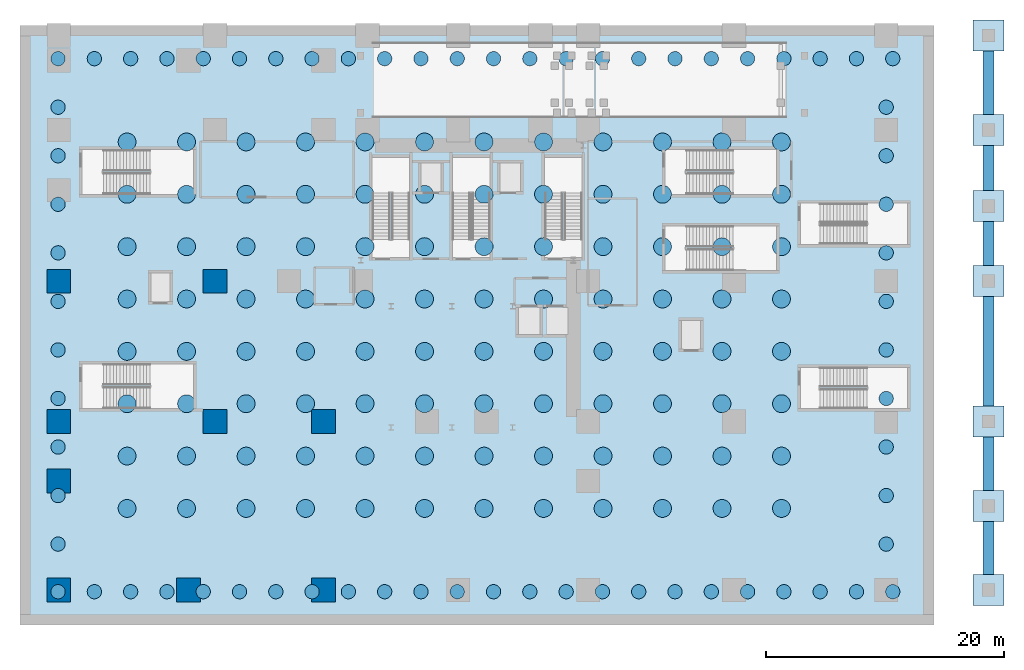
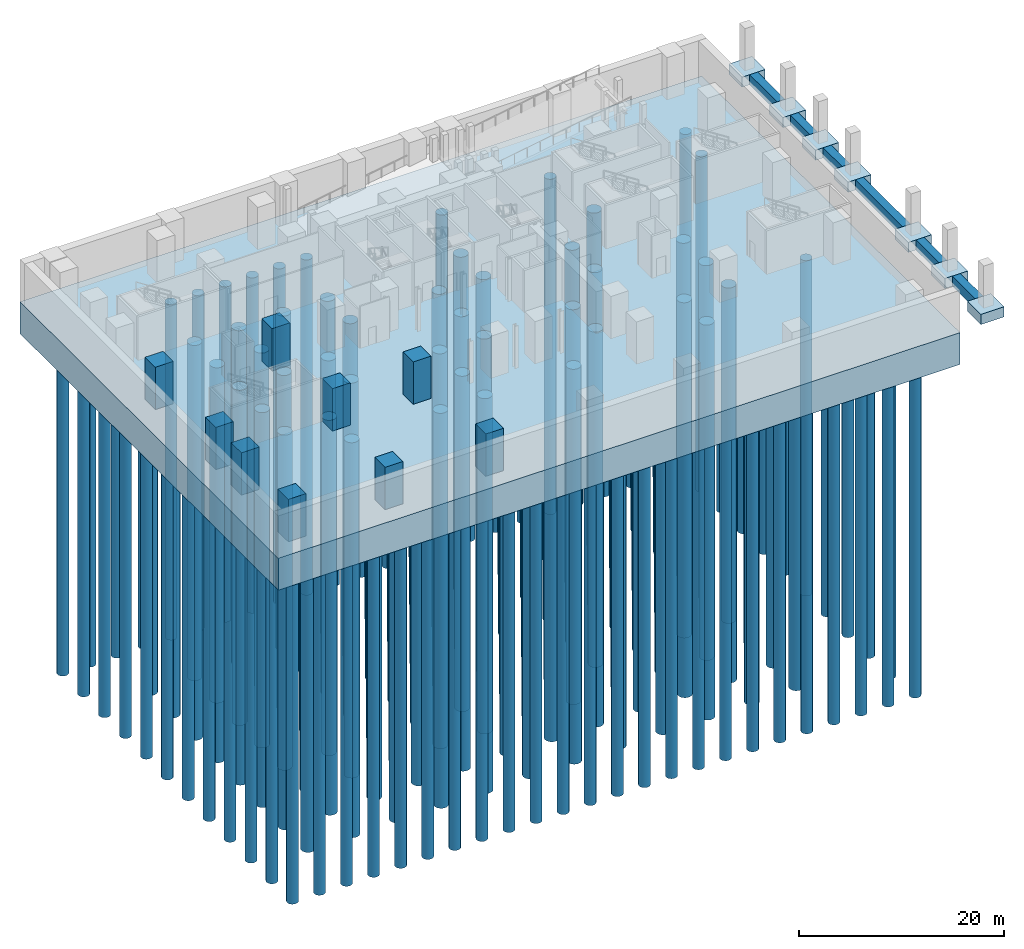
# One storey, part 1 of 14: 164 piles, 14 footings, 9 columns.
"""IFC4 building model written with IfcOpenShell, lengths in metres."""

from ifc_helpers import new_model, si_unit, direction, frame, origin, origin_2d, place, context, subcontext, project, spatial, polyline, rectangle, circle, outline, extrude, source, transform, mapped, material, material_profile, profile_set, type_object, element, save


model = new_model("IFC4")

# Units and contexts
model_context = context("Model", 3, precision=1e-05, world=origin(), true_north=direction((0.0, 1.0)))
body_context = subcontext(model_context, "Body", "Model", "MODEL_VIEW")
ifc_project = project(units=[si_unit("LENGTHUNIT", "METRE"), si_unit("AREAUNIT", "SQUARE_METRE"), si_unit("VOLUMEUNIT", "CUBIC_METRE"), si_unit("PLANEANGLEUNIT", "RADIAN"), si_unit("MASSUNIT", "GRAM", prefix="KILO")], contexts=[model_context])

# Site, building, storey
site_placement = place(None, origin())
site = spatial("IfcSite", under=ifc_project, at=site_placement, CompositionType="ELEMENT")
building_placement = place(site_placement, origin())
building = spatial("IfcBuilding", under=site, at=building_placement, Name="Vardaveli Station Tower", CompositionType="ELEMENT")
storey_placement = place(building_placement, frame((0.0, 0.0, -11.39990234375)))
storey = spatial("IfcBuildingStorey", under=building, at=storey_placement, Name="B02", CompositionType="ELEMENT", Elevation=-11.39990234375)

# Footings
ifc_material_1 = material(Name="Concrete C50/60", Category="concrete")
footing_type_1 = type_object("IfcFootingType", Name="FTG-PAD-2600", PredefinedType="PAD_FOOTING", material=ifc_material_1)
footing_1_placement = place(storey_placement, frame((0.0, 0.0, -1.2001953125)))
element("IfcFooting", 1, at=footing_1_placement, inside=storey, type_object=footing_type_1, Name="FTG-PAD-01", PredefinedType="PAD_FOOTING", context=body_context, shape_type="SweptSolid", body=[
    extrude(outline(polyline([(80.10009765625, 1.64990234375), (82.699951171875, 1.64990234375), (82.699951171875, 4.25), (80.10009765625, 4.25), (80.10009765625, 1.64990234375)])), origin(), (0.0, 0.0, 1.0), 1.2001953125),
])
footing_2_placement = place(storey_placement, frame((0.0, 0.0, -1.2001953125)))
element("IfcFooting", 2, at=footing_2_placement, inside=storey, type_object=footing_type_1, Name="FTG-PAD-02", PredefinedType="PAD_FOOTING", context=body_context, shape_type="SweptSolid", body=[
    extrude(outline(polyline([(80.10009765625, 8.699951171875), (82.699951171875, 8.699951171875), (82.699951171875, 11.300048828125), (80.10009765625, 11.300048828125), (80.10009765625, 8.699951171875)])), origin(), (0.0, 0.0, 1.0), 1.2001953125),
])
footing_3_placement = place(storey_placement, frame((0.0, 0.0, -1.2001953125)))
element("IfcFooting", 3, at=footing_3_placement, inside=storey, type_object=footing_type_1, Name="FTG-PAD-03", PredefinedType="PAD_FOOTING", context=body_context, shape_type="SweptSolid", body=[
    extrude(outline(polyline([(80.10009765625, 15.800048828125), (82.699951171875, 15.800048828125), (82.699951171875, 18.39990234375), (80.10009765625, 18.39990234375), (80.10009765625, 15.800048828125)])), origin(), (0.0, 0.0, 1.0), 1.2001953125),
])
footing_4_placement = place(storey_placement, frame((0.0, 0.0, -1.2001953125)))
element("IfcFooting", 4, at=footing_4_placement, inside=storey, type_object=footing_type_1, Name="FTG-PAD-04", PredefinedType="PAD_FOOTING", context=body_context, shape_type="SweptSolid", body=[
    extrude(outline(polyline([(80.10009765625, 27.60009765625), (82.699951171875, 27.60009765625), (82.699951171875, 30.199951171875), (80.10009765625, 30.199951171875), (80.10009765625, 27.60009765625)])), origin(), (0.0, 0.0, 1.0), 1.2001953125),
])
footing_5_placement = place(storey_placement, frame((0.0, 0.0, -1.2001953125)))
element("IfcFooting", 5, at=footing_5_placement, inside=storey, type_object=footing_type_1, Name="FTG-PAD-05", PredefinedType="PAD_FOOTING", context=body_context, shape_type="SweptSolid", body=[
    extrude(outline(polyline([(80.10009765625, 33.89990234375), (82.699951171875, 33.89990234375), (82.699951171875, 36.5), (80.10009765625, 36.5), (80.10009765625, 33.89990234375)])), origin(), (0.0, 0.0, 1.0), 1.2001953125),
])
footing_6_placement = place(storey_placement, frame((0.0, 0.0, -1.2001953125)))
element("IfcFooting", 6, at=footing_6_placement, inside=storey, type_object=footing_type_1, Name="FTG-PAD-06", PredefinedType="PAD_FOOTING", context=body_context, shape_type="SweptSolid", body=[
    extrude(outline(polyline([(80.10009765625, 40.300048828125), (82.699951171875, 40.300048828125), (82.699951171875, 42.89990234375), (80.10009765625, 42.89990234375), (80.10009765625, 40.300048828125)])), origin(), (0.0, 0.0, 1.0), 1.2001953125),
])
footing_7_placement = place(storey_placement, frame((0.0, 0.0, -1.2001953125)))
element("IfcFooting", 7, at=footing_7_placement, inside=storey, type_object=footing_type_1, Name="FTG-PAD-07", PredefinedType="PAD_FOOTING", context=body_context, shape_type="SweptSolid", body=[
    extrude(outline(polyline([(80.10009765625, 48.25), (82.699951171875, 48.25), (82.699951171875, 50.85009765625), (80.10009765625, 50.85009765625), (80.10009765625, 48.25)])), origin(), (0.0, 0.0, 1.0), 1.2001953125),
])
footing_type_2 = type_object("IfcFootingType", Name="FTG-RAFT-3800", PredefinedType="PILE_CAP", material=ifc_material_1)
footing_8_placement = place(storey_placement, frame((0.0, 0.0, -3.800048828125)))
element("IfcFooting", 8, at=footing_8_placement, inside=storey, type_object=footing_type_2, Name="FTG-RAFT-01", PredefinedType="PILE_CAP", context=body_context, shape_type="SweptSolid", body=[
    extrude(outline(polyline([(0.0, 0.0), (76.800048828125, 0.0), (76.800048828125, 50.39990234375), (0.0, 50.39990234375), (0.0, 0.0)])), origin(), (0.0, 0.0, 1.0), 3.800048828125),
])
footing_type_3 = type_object("IfcFootingType", Name="FTG-STRIP-900x1200", PredefinedType="STRIP_FOOTING", material=ifc_material_1)
footing_9_placement = place(storey_placement, frame((0.0, 0.0, -1.2001953125)))
element("IfcFooting", 9, at=footing_9_placement, inside=storey, type_object=footing_type_3, Name="FTG-STR-01", PredefinedType="STRIP_FOOTING", context=body_context, shape_type="SweptSolid", body=[
    extrude(outline(polyline([(80.949951171875, 4.25), (81.85009765625, 4.25), (81.85009765625, 8.699951171875), (80.949951171875, 8.699951171875), (80.949951171875, 4.25)])), origin(), (0.0, 0.0, 1.0), 1.2001953125),
])
footing_10_placement = place(storey_placement, frame((0.0, 0.0, -1.2001953125)))
element("IfcFooting", 10, at=footing_10_placement, inside=storey, type_object=footing_type_3, Name="FTG-STR-02", PredefinedType="STRIP_FOOTING", context=body_context, shape_type="SweptSolid", body=[
    extrude(outline(polyline([(80.949951171875, 11.300048828125), (81.85009765625, 11.300048828125), (81.85009765625, 15.800048828125), (80.949951171875, 15.800048828125), (80.949951171875, 11.300048828125)])), origin(), (0.0, 0.0, 1.0), 1.2001953125),
])
footing_11_placement = place(storey_placement, frame((0.0, 0.0, -1.2001953125)))
element("IfcFooting", 11, at=footing_11_placement, inside=storey, type_object=footing_type_3, Name="FTG-STR-03", PredefinedType="STRIP_FOOTING", context=body_context, shape_type="SweptSolid", body=[
    extrude(outline(polyline([(80.949951171875, 18.39990234375), (81.85009765625, 18.39990234375), (81.85009765625, 27.60009765625), (80.949951171875, 27.60009765625), (80.949951171875, 18.39990234375)])), origin(), (0.0, 0.0, 1.0), 1.2001953125),
])
footing_12_placement = place(storey_placement, frame((0.0, 0.0, -1.2001953125)))
element("IfcFooting", 12, at=footing_12_placement, inside=storey, type_object=footing_type_3, Name="FTG-STR-04", PredefinedType="STRIP_FOOTING", context=body_context, shape_type="SweptSolid", body=[
    extrude(outline(polyline([(80.949951171875, 30.199951171875), (81.85009765625, 30.199951171875), (81.85009765625, 33.89990234375), (80.949951171875, 33.89990234375), (80.949951171875, 30.199951171875)])), origin(), (0.0, 0.0, 1.0), 1.2001953125),
])
footing_13_placement = place(storey_placement, frame((0.0, 0.0, -1.2001953125)))
element("IfcFooting", 13, at=footing_13_placement, inside=storey, type_object=footing_type_3, Name="FTG-STR-05", PredefinedType="STRIP_FOOTING", context=body_context, shape_type="SweptSolid", body=[
    extrude(outline(polyline([(80.949951171875, 36.5), (81.85009765625, 36.5), (81.85009765625, 40.300048828125), (80.949951171875, 40.300048828125), (80.949951171875, 36.5)])), origin(), (0.0, 0.0, 1.0), 1.2001953125),
])
footing_14_placement = place(storey_placement, frame((0.0, 0.0, -1.2001953125)))
element("IfcFooting", 14, at=footing_14_placement, inside=storey, type_object=footing_type_3, Name="FTG-STR-06", PredefinedType="STRIP_FOOTING", context=body_context, shape_type="SweptSolid", body=[
    extrude(outline(polyline([(80.949951171875, 42.89990234375), (81.85009765625, 42.89990234375), (81.85009765625, 48.25), (80.949951171875, 48.25), (80.949951171875, 42.89990234375)])), origin(), (0.0, 0.0, 1.0), 1.2001953125),
])

# Piles
ifc_material_2 = material(Name="Concrete C40/50", Category="concrete")
ifc_material_profile_1 = material_profile(ifc_material_2, circle(Radius=0.75, at=origin_2d()), Name="PILE D1500")
ifc_profile_set_1 = profile_set([ifc_material_profile_1], Name="Concrete C40/50")
pile_type_1 = type_object("IfcPileType", Name="PILE-BORED-1500", PredefinedType="BORED", material=ifc_profile_set_1)
shared_shape_1 = source(origin(), body_context, "Body", "SweptSolid", [
    extrude(circle(Radius=0.75, at=origin_2d()), origin(), (0.0, 0.0, 1.0), 39.949951171875),
])
for number, where, z_axis, x_axis, name in (
    (15, (9.0, 9.800048828125, -3.650146484375), (0.0, 0.0, -1.0), (1.0, 0.0, 0.0), "PILE-001"),
    (16, (9.0, 14.199951171875, -3.650146484375), (0.0, 0.0, -1.0), (1.0, 0.0, 0.0), "PILE-002"),
    (17, (9.0, 18.60009765625, -3.650146484375), (0.0, 0.0, -1.0), (1.0, 0.0, 0.0), "PILE-003"),
    (18, (9.0, 23.0, -3.650146484375), (0.0, 0.0, -1.0), (1.0, 0.0, 0.0), "PILE-004"),
    (19, (9.0, 27.39990234375, -3.650146484375), (0.0, 0.0, -1.0), (1.0, 0.0, 0.0), "PILE-005"),
    (20, (9.0, 31.800048828125, -3.650146484375), (0.0, 0.0, -1.0), (1.0, 0.0, 0.0), "PILE-006"),
    (21, (9.0, 36.199951171875, -3.650146484375), (0.0, 0.0, -1.0), (1.0, 0.0, 0.0), "PILE-007"),
    (22, (9.0, 40.60009765625, -3.650146484375), (0.0, 0.0, -1.0), (1.0, 0.0, 0.0), "PILE-008"),
    (23, (14.0, 9.800048828125, -3.650146484375), (0.0, 0.0, -1.0), (1.0, 0.0, 0.0), "PILE-009"),
    (24, (14.0, 14.199951171875, -3.650146484375), (0.0, 0.0, -1.0), (1.0, 0.0, 0.0), "PILE-010"),
    (25, (14.0, 18.60009765625, -3.650146484375), (0.0, 0.0, -1.0), (1.0, 0.0, 0.0), "PILE-011"),
    (26, (14.0, 23.0, -3.650146484375), (0.0, 0.0, -1.0), (1.0, 0.0, 0.0), "PILE-012"),
    (27, (14.0, 27.39990234375, -3.650146484375), (0.0, 0.0, -1.0), (1.0, 0.0, 0.0), "PILE-013"),
    (28, (14.0, 31.800048828125, -3.650146484375), (0.0, 0.0, -1.0), (1.0, 0.0, 0.0), "PILE-014"),
    (29, (14.0, 36.199951171875, -3.650146484375), (0.0, 0.0, -1.0), (1.0, 0.0, 0.0), "PILE-015"),
    (30, (14.0, 40.60009765625, -3.650146484375), (0.0, 0.0, -1.0), (1.0, 0.0, 0.0), "PILE-016"),
    (31, (19.0, 9.800048828125, -3.650146484375), (0.0, 0.0, -1.0), (1.0, 0.0, 0.0), "PILE-017"),
    (32, (19.0, 14.199951171875, -3.650146484375), (0.0, 0.0, -1.0), (1.0, 0.0, 0.0), "PILE-018"),
    (33, (19.0, 18.60009765625, -3.650146484375), (0.0, 0.0, -1.0), (1.0, 0.0, 0.0), "PILE-019"),
    (34, (19.0, 23.0, -3.650146484375), (0.0, 0.0, -1.0), (1.0, 0.0, 0.0), "PILE-020"),
    (35, (19.0, 27.39990234375, -3.650146484375), (0.0, 0.0, -1.0), (1.0, 0.0, 0.0), "PILE-021"),
    (36, (19.0, 31.800048828125, -3.650146484375), (0.0, 0.0, -1.0), (1.0, 0.0, 0.0), "PILE-022"),
    (37, (19.0, 36.199951171875, -3.650146484375), (0.0, 0.0, -1.0), (1.0, 0.0, 0.0), "PILE-023"),
    (38, (19.0, 40.60009765625, -3.650146484375), (0.0, 0.0, -1.0), (1.0, 0.0, 0.0), "PILE-024"),
    (39, (24.0, 9.800048828125, -3.650146484375), (0.0, 0.0, -1.0), (1.0, 0.0, 0.0), "PILE-025"),
    (40, (24.0, 14.199951171875, -3.650146484375), (0.0, 0.0, -1.0), (1.0, 0.0, 0.0), "PILE-026"),
    (41, (24.0, 18.60009765625, -3.650146484375), (0.0, 0.0, -1.0), (1.0, 0.0, 0.0), "PILE-027"),
    (42, (24.0, 23.0, -3.650146484375), (0.0, 0.0, -1.0), (1.0, 0.0, 0.0), "PILE-028"),
    (43, (24.0, 27.39990234375, -3.650146484375), (0.0, 0.0, -1.0), (1.0, 0.0, 0.0), "PILE-029"),
    (44, (24.0, 31.800048828125, -3.650146484375), (0.0, 0.0, -1.0), (1.0, 0.0, 0.0), "PILE-030"),
    (45, (24.0, 36.199951171875, -3.650146484375), (0.0, 0.0, -1.0), (1.0, 0.0, 0.0), "PILE-031"),
    (46, (24.0, 40.60009765625, -3.650146484375), (0.0, 0.0, -1.0), (1.0, 0.0, 0.0), "PILE-032"),
    (47, (29.0, 9.800048828125, -3.650146484375), (0.0, 0.0, -1.0), (1.0, 0.0, 0.0), "PILE-033"),
    (48, (29.0, 14.199951171875, -3.650146484375), (0.0, 0.0, -1.0), (1.0, 0.0, 0.0), "PILE-034"),
    (49, (29.0, 18.60009765625, -3.650146484375), (0.0, 0.0, -1.0), (1.0, 0.0, 0.0), "PILE-035"),
    (50, (29.0, 23.0, -3.650146484375), (0.0, 0.0, -1.0), (1.0, 0.0, 0.0), "PILE-036"),
    (51, (29.0, 27.39990234375, -3.650146484375), (0.0, 0.0, -1.0), (1.0, 0.0, 0.0), "PILE-037"),
    (52, (29.0, 31.800048828125, -3.650146484375), (0.0, 0.0, -1.0), (1.0, 0.0, 0.0), "PILE-038"),
    (53, (29.0, 36.199951171875, -3.650146484375), (0.0, 0.0, -1.0), (1.0, 0.0, 0.0), "PILE-039"),
    (54, (29.0, 40.60009765625, -3.650146484375), (0.0, 0.0, -1.0), (1.0, 0.0, 0.0), "PILE-040"),
    (55, (34.0, 9.800048828125, -3.650146484375), (0.0, 0.0, -1.0), (1.0, 0.0, 0.0), "PILE-041"),
    (56, (34.0, 14.199951171875, -3.650146484375), (0.0, 0.0, -1.0), (1.0, 0.0, 0.0), "PILE-042"),
    (57, (34.0, 18.60009765625, -3.650146484375), (0.0, 0.0, -1.0), (1.0, 0.0, 0.0), "PILE-043"),
    (58, (34.0, 23.0, -3.650146484375), (0.0, 0.0, -1.0), (1.0, 0.0, 0.0), "PILE-044"),
    (59, (34.0, 27.39990234375, -3.650146484375), (0.0, 0.0, -1.0), (1.0, 0.0, 0.0), "PILE-045"),
    (60, (34.0, 31.800048828125, -3.650146484375), (0.0, 0.0, -1.0), (1.0, 0.0, 0.0), "PILE-046"),
    (61, (34.0, 36.199951171875, -3.650146484375), (0.0, 0.0, -1.0), (1.0, 0.0, 0.0), "PILE-047"),
    (62, (34.0, 40.60009765625, -3.650146484375), (0.0, 0.0, -1.0), (1.0, 0.0, 0.0), "PILE-048"),
    (63, (39.0, 9.800048828125, -3.650146484375), (0.0, 0.0, -1.0), (1.0, 0.0, 0.0), "PILE-049"),
    (64, (39.0, 14.199951171875, -3.650146484375), (0.0, 0.0, -1.0), (1.0, 0.0, 0.0), "PILE-050"),
    (65, (39.0, 18.60009765625, -3.650146484375), (0.0, 0.0, -1.0), (1.0, 0.0, 0.0), "PILE-051"),
    (66, (39.0, 23.0, -3.650146484375), (0.0, 0.0, -1.0), (1.0, 0.0, 0.0), "PILE-052"),
    (67, (39.0, 27.39990234375, -3.650146484375), (0.0, 0.0, -1.0), (1.0, 0.0, 0.0), "PILE-053"),
    (68, (39.0, 31.800048828125, -3.650146484375), (0.0, 0.0, -1.0), (1.0, 0.0, 0.0), "PILE-054"),
    (69, (39.0, 36.199951171875, -3.650146484375), (0.0, 0.0, -1.0), (1.0, 0.0, 0.0), "PILE-055"),
    (70, (39.0, 40.60009765625, -3.650146484375), (0.0, 0.0, -1.0), (1.0, 0.0, 0.0), "PILE-056"),
    (71, (44.0, 9.800048828125, -3.650146484375), (0.0, 0.0, -1.0), (1.0, 0.0, 0.0), "PILE-057"),
    (72, (44.0, 14.199951171875, -3.650146484375), (0.0, 0.0, -1.0), (1.0, 0.0, 0.0), "PILE-058"),
    (73, (44.0, 18.60009765625, -3.650146484375), (0.0, 0.0, -1.0), (1.0, 0.0, 0.0), "PILE-059"),
    (74, (44.0, 23.0, -3.650146484375), (0.0, 0.0, -1.0), (1.0, 0.0, 0.0), "PILE-060"),
    (75, (44.0, 27.39990234375, -3.650146484375), (0.0, 0.0, -1.0), (1.0, 0.0, 0.0), "PILE-061"),
    (76, (44.0, 31.800048828125, -3.650146484375), (0.0, 0.0, -1.0), (1.0, 0.0, 0.0), "PILE-062"),
    (77, (44.0, 36.199951171875, -3.650146484375), (0.0, 0.0, -1.0), (1.0, 0.0, 0.0), "PILE-063"),
    (78, (44.0, 40.60009765625, -3.650146484375), (0.0, 0.0, -1.0), (1.0, 0.0, 0.0), "PILE-064"),
    (79, (49.0, 9.800048828125, -3.650146484375), (0.0, 0.0, -1.0), (1.0, 0.0, 0.0), "PILE-065"),
    (80, (49.0, 14.199951171875, -3.650146484375), (0.0, 0.0, -1.0), (1.0, 0.0, 0.0), "PILE-066"),
    (81, (49.0, 18.60009765625, -3.650146484375), (0.0, 0.0, -1.0), (1.0, 0.0, 0.0), "PILE-067"),
    (82, (49.0, 23.0, -3.650146484375), (0.0, 0.0, -1.0), (1.0, 0.0, 0.0), "PILE-068"),
    (83, (49.0, 27.39990234375, -3.650146484375), (0.0, 0.0, -1.0), (1.0, 0.0, 0.0), "PILE-069"),
    (84, (49.0, 31.800048828125, -3.650146484375), (0.0, 0.0, -1.0), (1.0, 0.0, 0.0), "PILE-070"),
    (85, (49.0, 36.199951171875, -3.650146484375), (0.0, 0.0, -1.0), (1.0, 0.0, 0.0), "PILE-071"),
    (86, (49.0, 40.60009765625, -3.650146484375), (0.0, 0.0, -1.0), (1.0, 0.0, 0.0), "PILE-072"),
    (87, (54.0, 9.800048828125, -3.650146484375), (0.0, 0.0, -1.0), (1.0, 0.0, 0.0), "PILE-073"),
    (88, (54.0, 14.199951171875, -3.650146484375), (0.0, 0.0, -1.0), (1.0, 0.0, 0.0), "PILE-074"),
    (89, (54.0, 18.60009765625, -3.650146484375), (0.0, 0.0, -1.0), (1.0, 0.0, 0.0), "PILE-075"),
    (90, (54.0, 23.0, -3.650146484375), (0.0, 0.0, -1.0), (1.0, 0.0, 0.0), "PILE-076"),
    (91, (54.0, 27.39990234375, -3.650146484375), (0.0, 0.0, -1.0), (1.0, 0.0, 0.0), "PILE-077"),
    (92, (54.0, 31.800048828125, -3.650146484375), (0.0, 0.0, -1.0), (1.0, 0.0, 0.0), "PILE-078"),
    (93, (54.0, 36.199951171875, -3.650146484375), (0.0, 0.0, -1.0), (1.0, 0.0, 0.0), "PILE-079"),
    (94, (54.0, 40.60009765625, -3.650146484375), (0.0, 0.0, -1.0), (1.0, 0.0, 0.0), "PILE-080"),
    (95, (59.0, 9.800048828125, -3.650146484375), (0.0, 0.0, -1.0), (1.0, 0.0, 0.0), "PILE-081"),
    (96, (59.0, 14.199951171875, -3.650146484375), (0.0, 0.0, -1.0), (1.0, 0.0, 0.0), "PILE-082"),
    (97, (59.0, 18.60009765625, -3.650146484375), (0.0, 0.0, -1.0), (1.0, 0.0, 0.0), "PILE-083"),
    (98, (59.0, 23.0, -3.650146484375), (0.0, 0.0, -1.0), (1.0, 0.0, 0.0), "PILE-084"),
    (99, (59.0, 27.39990234375, -3.650146484375), (0.0, 0.0, -1.0), (1.0, 0.0, 0.0), "PILE-085"),
    (100, (59.0, 31.800048828125, -3.650146484375), (0.0, 0.0, -1.0), (1.0, 0.0, 0.0), "PILE-086"),
    (101, (59.0, 36.199951171875, -3.650146484375), (0.0, 0.0, -1.0), (1.0, 0.0, 0.0), "PILE-087"),
    (102, (59.0, 40.60009765625, -3.650146484375), (0.0, 0.0, -1.0), (1.0, 0.0, 0.0), "PILE-088"),
    (103, (64.0, 9.800048828125, -3.650146484375), (0.0, 0.0, -1.0), (1.0, 0.0, 0.0), "PILE-089"),
    (104, (64.0, 14.199951171875, -3.650146484375), (0.0, 0.0, -1.0), (1.0, 0.0, 0.0), "PILE-090"),
    (105, (64.0, 18.60009765625, -3.650146484375), (0.0, 0.0, -1.0), (1.0, 0.0, 0.0), "PILE-091"),
    (106, (64.0, 23.0, -3.650146484375), (0.0, 0.0, -1.0), (1.0, 0.0, 0.0), "PILE-092"),
    (107, (64.0, 27.39990234375, -3.650146484375), (0.0, 0.0, -1.0), (1.0, 0.0, 0.0), "PILE-093"),
    (108, (64.0, 31.800048828125, -3.650146484375), (0.0, 0.0, -1.0), (1.0, 0.0, 0.0), "PILE-094"),
    (109, (64.0, 36.199951171875, -3.650146484375), (0.0, 0.0, -1.0), (1.0, 0.0, 0.0), "PILE-095"),
    (110, (64.0, 40.60009765625, -3.650146484375), (0.0, 0.0, -1.0), (1.0, 0.0, 0.0), "PILE-096"),
):
    element("IfcPile", number, at=place(storey_placement, frame(where, z_axis=z_axis, x_axis=x_axis)), inside=storey, type_object=pile_type_1, Name=name, PredefinedType="BORED", context=body_context, shape_type="MappedRepresentation", body=[
        mapped(shared_shape_1, transform((0.0, 0.0, 0.0), scale=1.0)),
    ])
ifc_material_profile_2 = material_profile(ifc_material_2, circle(Radius=0.60009765625, at=origin_2d()), Name="PILE D1200")
ifc_profile_set_2 = profile_set([ifc_material_profile_2], Name="Concrete C40/50")
pile_type_2 = type_object("IfcPileType", Name="PILE-BORED-1200", PredefinedType="BORED", material=ifc_profile_set_2)
shared_shape_2 = source(origin(), body_context, "Body", "SweptSolid", [
    extrude(circle(Radius=0.60009765625, at=origin_2d()), origin(), (0.0, 0.0, 1.0), 39.949951171875),
])
for number, where, z_axis, x_axis, name in (
    (111, (3.199951171875, 2.800048828125, -3.650146484375), (0.0, 0.0, -1.0), (1.0, 0.0, 0.0), "PILE-097"),
    (112, (6.25, 2.800048828125, -3.650146484375), (0.0, 0.0, -1.0), (1.0, 0.0, 0.0), "PILE-098"),
    (113, (9.300048828125, 2.800048828125, -3.650146484375), (0.0, 0.0, -1.0), (1.0, 0.0, 0.0), "PILE-099"),
    (114, (12.35009765625, 2.800048828125, -3.650146484375), (0.0, 0.0, -1.0), (1.0, 0.0, 0.0), "PILE-100"),
    (115, (15.39990234375, 2.800048828125, -3.650146484375), (0.0, 0.0, -1.0), (1.0, 0.0, 0.0), "PILE-101"),
    (116, (18.449951171875, 2.800048828125, -3.650146484375), (0.0, 0.0, -1.0), (1.0, 0.0, 0.0), "PILE-102"),
    (117, (21.5, 2.800048828125, -3.650146484375), (0.0, 0.0, -1.0), (1.0, 0.0, 0.0), "PILE-103"),
    (118, (24.550048828125, 2.800048828125, -3.650146484375), (0.0, 0.0, -1.0), (1.0, 0.0, 0.0), "PILE-104"),
    (119, (27.60009765625, 2.800048828125, -3.650146484375), (0.0, 0.0, -1.0), (1.0, 0.0, 0.0), "PILE-105"),
    (120, (30.64990234375, 2.800048828125, -3.650146484375), (0.0, 0.0, -1.0), (1.0, 0.0, 0.0), "PILE-106"),
    (121, (33.699951171875, 2.800048828125, -3.650146484375), (0.0, 0.0, -1.0), (1.0, 0.0, 0.0), "PILE-107"),
    (122, (36.75, 2.800048828125, -3.650146484375), (0.0, 0.0, -1.0), (1.0, 0.0, 0.0), "PILE-108"),
    (123, (39.800048828125, 2.800048828125, -3.650146484375), (0.0, 0.0, -1.0), (1.0, 0.0, 0.0), "PILE-109"),
    (124, (42.85009765625, 2.800048828125, -3.650146484375), (0.0, 0.0, -1.0), (1.0, 0.0, 0.0), "PILE-110"),
    (125, (45.89990234375, 2.800048828125, -3.650146484375), (0.0, 0.0, -1.0), (1.0, 0.0, 0.0), "PILE-111"),
    (126, (48.949951171875, 2.800048828125, -3.650146484375), (0.0, 0.0, -1.0), (1.0, 0.0, 0.0), "PILE-112"),
    (127, (52.0, 2.800048828125, -3.650146484375), (0.0, 0.0, -1.0), (1.0, 0.0, 0.0), "PILE-113"),
    (128, (55.050048828125, 2.800048828125, -3.650146484375), (0.0, 0.0, -1.0), (1.0, 0.0, 0.0), "PILE-114"),
    (129, (58.10009765625, 2.800048828125, -3.650146484375), (0.0, 0.0, -1.0), (1.0, 0.0, 0.0), "PILE-115"),
    (130, (61.14990234375, 2.800048828125, -3.650146484375), (0.0, 0.0, -1.0), (1.0, 0.0, 0.0), "PILE-116"),
    (131, (64.199951171875, 2.800048828125, -3.650146484375), (0.0, 0.0, -1.0), (1.0, 0.0, 0.0), "PILE-117"),
    (132, (67.25, 2.800048828125, -3.650146484375), (0.0, 0.0, -1.0), (1.0, 0.0, 0.0), "PILE-118"),
    (133, (70.300048828125, 2.800048828125, -3.650146484375), (0.0, 0.0, -1.0), (1.0, 0.0, 0.0), "PILE-119"),
    (134, (73.35009765625, 2.800048828125, -3.650146484375), (0.0, 0.0, -1.0), (1.0, 0.0, 0.0), "PILE-120"),
    (135, (3.199951171875, 47.60009765625, -3.650146484375), (0.0, 0.0, -1.0), (1.0, 0.0, 0.0), "PILE-121"),
    (136, (6.25, 47.60009765625, -3.650146484375), (0.0, 0.0, -1.0), (1.0, 0.0, 0.0), "PILE-122"),
    (137, (9.300048828125, 47.60009765625, -3.650146484375), (0.0, 0.0, -1.0), (1.0, 0.0, 0.0), "PILE-123"),
    (138, (12.35009765625, 47.60009765625, -3.650146484375), (0.0, 0.0, -1.0), (1.0, 0.0, 0.0), "PILE-124"),
    (139, (15.39990234375, 47.60009765625, -3.650146484375), (0.0, 0.0, -1.0), (1.0, 0.0, 0.0), "PILE-125"),
    (140, (18.449951171875, 47.60009765625, -3.650146484375), (0.0, 0.0, -1.0), (1.0, 0.0, 0.0), "PILE-126"),
    (141, (21.5, 47.60009765625, -3.650146484375), (0.0, 0.0, -1.0), (1.0, 0.0, 0.0), "PILE-127"),
    (142, (24.550048828125, 47.60009765625, -3.650146484375), (0.0, 0.0, -1.0), (1.0, 0.0, 0.0), "PILE-128"),
    (143, (27.60009765625, 47.60009765625, -3.650146484375), (0.0, 0.0, -1.0), (1.0, 0.0, 0.0), "PILE-129"),
    (144, (30.64990234375, 47.60009765625, -3.650146484375), (0.0, 0.0, -1.0), (1.0, 0.0, 0.0), "PILE-130"),
    (145, (33.699951171875, 47.60009765625, -3.650146484375), (0.0, 0.0, -1.0), (1.0, 0.0, 0.0), "PILE-131"),
    (146, (36.75, 47.60009765625, -3.650146484375), (0.0, 0.0, -1.0), (1.0, 0.0, 0.0), "PILE-132"),
    (147, (39.800048828125, 47.60009765625, -3.650146484375), (0.0, 0.0, -1.0), (1.0, 0.0, 0.0), "PILE-133"),
    (148, (42.85009765625, 47.60009765625, -3.650146484375), (0.0, 0.0, -1.0), (1.0, 0.0, 0.0), "PILE-134"),
    (149, (45.89990234375, 47.60009765625, -3.650146484375), (0.0, 0.0, -1.0), (1.0, 0.0, 0.0), "PILE-135"),
    (150, (48.949951171875, 47.60009765625, -3.650146484375), (0.0, 0.0, -1.0), (1.0, 0.0, 0.0), "PILE-136"),
    (151, (52.0, 47.60009765625, -3.650146484375), (0.0, 0.0, -1.0), (1.0, 0.0, 0.0), "PILE-137"),
    (152, (55.050048828125, 47.60009765625, -3.650146484375), (0.0, 0.0, -1.0), (1.0, 0.0, 0.0), "PILE-138"),
    (153, (58.10009765625, 47.60009765625, -3.650146484375), (0.0, 0.0, -1.0), (1.0, 0.0, 0.0), "PILE-139"),
    (154, (61.14990234375, 47.60009765625, -3.650146484375), (0.0, 0.0, -1.0), (1.0, 0.0, 0.0), "PILE-140"),
    (155, (64.199951171875, 47.60009765625, -3.650146484375), (0.0, 0.0, -1.0), (1.0, 0.0, 0.0), "PILE-141"),
    (156, (67.25, 47.60009765625, -3.650146484375), (0.0, 0.0, -1.0), (1.0, 0.0, 0.0), "PILE-142"),
    (157, (70.300048828125, 47.60009765625, -3.650146484375), (0.0, 0.0, -1.0), (1.0, 0.0, 0.0), "PILE-143"),
    (158, (73.35009765625, 47.60009765625, -3.650146484375), (0.0, 0.0, -1.0), (1.0, 0.0, 0.0), "PILE-144"),
    (159, (3.199951171875, 6.800048828125, -3.650146484375), (0.0, 0.0, -1.0), (1.0, 0.0, 0.0), "PILE-145"),
    (160, (3.199951171875, 10.8798828125, -3.650146484375), (0.0, 0.0, -1.0), (1.0, 0.0, 0.0), "PILE-146"),
    (161, (3.199951171875, 14.9599609375, -3.650146484375), (0.0, 0.0, -1.0), (1.0, 0.0, 0.0), "PILE-147"),
    (162, (3.199951171875, 19.0400390625, -3.650146484375), (0.0, 0.0, -1.0), (1.0, 0.0, 0.0), "PILE-148"),
    (163, (3.199951171875, 23.1201171875, -3.650146484375), (0.0, 0.0, -1.0), (1.0, 0.0, 0.0), "PILE-149"),
    (164, (3.199951171875, 27.199951171875, -3.650146484375), (0.0, 0.0, -1.0), (1.0, 0.0, 0.0), "PILE-150"),
    (165, (3.199951171875, 31.280029296875, -3.650146484375), (0.0, 0.0, -1.0), (1.0, 0.0, 0.0), "PILE-151"),
    (166, (3.199951171875, 35.360107421875, -3.650146484375), (0.0, 0.0, -1.0), (1.0, 0.0, 0.0), "PILE-152"),
    (167, (3.199951171875, 39.43994140625, -3.650146484375), (0.0, 0.0, -1.0), (1.0, 0.0, 0.0), "PILE-153"),
    (168, (3.199951171875, 43.52001953125, -3.650146484375), (0.0, 0.0, -1.0), (1.0, 0.0, 0.0), "PILE-154"),
    (169, (72.800048828125, 6.800048828125, -3.650146484375), (0.0, 0.0, -1.0), (1.0, 0.0, 0.0), "PILE-155"),
    (170, (72.800048828125, 10.8798828125, -3.650146484375), (0.0, 0.0, -1.0), (1.0, 0.0, 0.0), "PILE-156"),
    (171, (72.800048828125, 14.9599609375, -3.650146484375), (0.0, 0.0, -1.0), (1.0, 0.0, 0.0), "PILE-157"),
    (172, (72.800048828125, 19.0400390625, -3.650146484375), (0.0, 0.0, -1.0), (1.0, 0.0, 0.0), "PILE-158"),
    (173, (72.800048828125, 23.1201171875, -3.650146484375), (0.0, 0.0, -1.0), (1.0, 0.0, 0.0), "PILE-159"),
    (174, (72.800048828125, 27.199951171875, -3.650146484375), (0.0, 0.0, -1.0), (1.0, 0.0, 0.0), "PILE-160"),
    (175, (72.800048828125, 31.280029296875, -3.650146484375), (0.0, 0.0, -1.0), (1.0, 0.0, 0.0), "PILE-161"),
    (176, (72.800048828125, 35.360107421875, -3.650146484375), (0.0, 0.0, -1.0), (1.0, 0.0, 0.0), "PILE-162"),
    (177, (72.800048828125, 39.43994140625, -3.650146484375), (0.0, 0.0, -1.0), (1.0, 0.0, 0.0), "PILE-163"),
    (178, (72.800048828125, 43.52001953125, -3.650146484375), (0.0, 0.0, -1.0), (1.0, 0.0, 0.0), "PILE-164"),
):
    element("IfcPile", number, at=place(storey_placement, frame(where, z_axis=z_axis, x_axis=x_axis)), inside=storey, type_object=pile_type_2, Name=name, PredefinedType="BORED", context=body_context, shape_type="MappedRepresentation", body=[
        mapped(shared_shape_2, transform((0.0, 0.0, 0.0), scale=1.0)),
    ])

# Columns
ifc_material_3 = material(Name="Concrete C70/85", Category="concrete")
ifc_material_profile_3 = material_profile(ifc_material_3, rectangle(XDim=2.0, YDim=2.0, at=origin_2d()), Name="SC 2000x2000")
ifc_profile_set_3 = profile_set([ifc_material_profile_3], Name="Concrete C70/85")
column_type = type_object("IfcColumnType", Name="COL-SC-2000", PredefinedType="COLUMN", material=ifc_profile_set_3)
shared_shape_3 = source(origin(), body_context, "Body", "SweptSolid", [
    extrude(rectangle(XDim=2.0, YDim=2.0, at=origin_2d()), origin(), (0.0, 0.0, 1.0), 5.039794921875),
])
for number, where, z_axis, x_axis, name in (
    (179, (3.25, 2.949951171875, 0.0), (0.0, 0.0, 1.0), (1.0, 0.0, 0.0), "COL-B02-SC01"),
    (180, (14.159912109375, 2.949951171875, 0.0), (0.0, 0.0, 1.0), (1.0, 0.0, 0.0), "COL-B02-SC02"),
    (181, (25.5, 2.949951171875, 0.0), (0.0, 0.0, 1.0), (1.0, 0.0, 0.0), "COL-B02-SC03"),
    (182, (3.25, 12.10009765625, 0.0), (0.0, 0.0, 1.0), (1.0, 0.0, 0.0), "COL-B02-SC08"),
    (183, (3.25, 17.10009765625, 0.0), (0.0, 0.0, 1.0), (1.0, 0.0, 0.0), "COL-B02-SC10"),
    (184, (16.39990234375, 17.10009765625, 0.0), (0.0, 0.0, 1.0), (1.0, 0.0, 0.0), "COL-B02-SC11"),
    (185, (25.5, 17.10009765625, 0.0), (0.0, 0.0, 1.0), (1.0, 0.0, 0.0), "COL-B02-SC12"),
    (186, (3.25, 28.89990234375, 0.0), (0.0, 0.0, 1.0), (1.0, 0.0, 0.0), "COL-B02-SC16"),
    (187, (16.39990234375, 28.89990234375, 0.0), (0.0, 0.0, 1.0), (1.0, 0.0, 0.0), "COL-B02-SC17"),
):
    element("IfcColumn", number, at=place(storey_placement, frame(where, z_axis=z_axis, x_axis=x_axis)), inside=storey, type_object=column_type, Name=name, PredefinedType="COLUMN", context=body_context, shape_type="MappedRepresentation", body=[
        mapped(shared_shape_3, transform((0.0, 0.0, 0.0), scale=1.0)),
    ])

save(model, "model.ifc")
